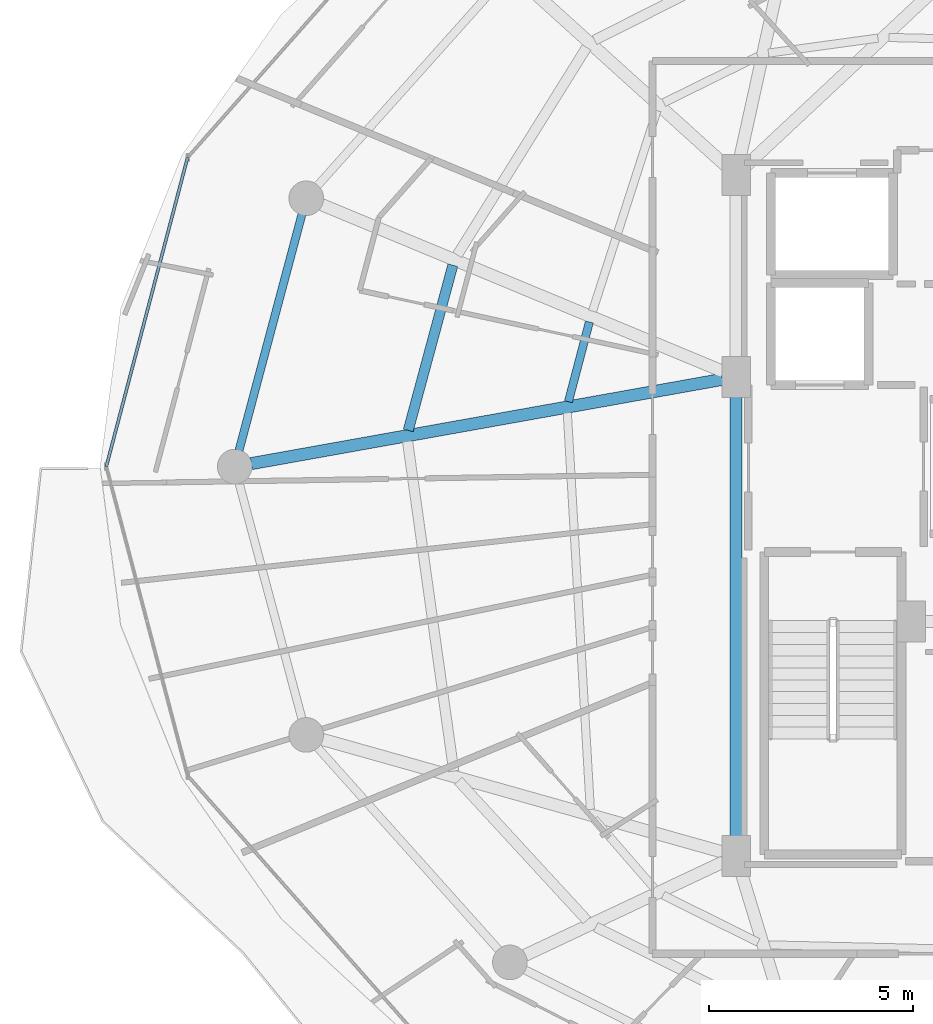
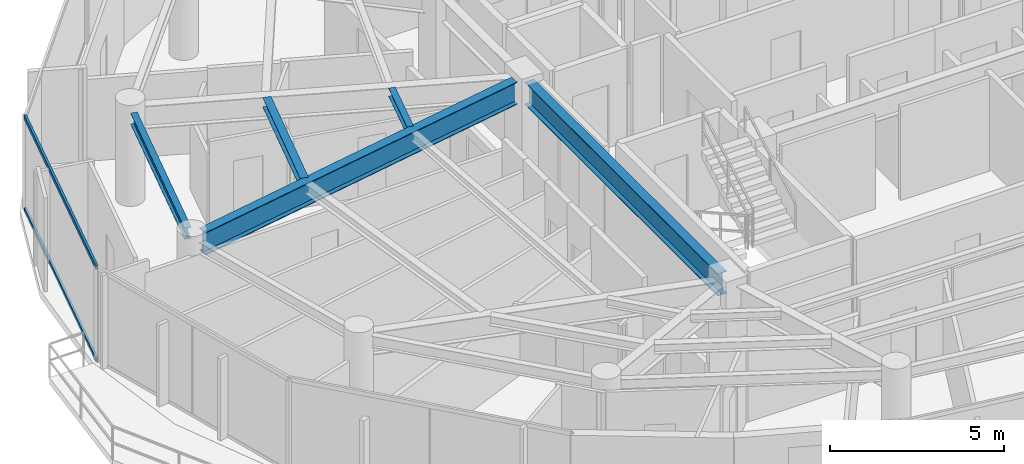
# One storey, part 8 of 32: 5 beams, 2 members, 1 element without a shape of its own.
"""IFC4 building model written with IfcOpenShell, lengths in metres."""

from ifc_helpers import new_model, si_unit, direction, frame, origin, origin_2d, place, context, subcontext, project, spatial, hollow_rectangle, i_section, extrude, material, material_profile, profile_set, type_object, element, aggregate, save


model = new_model("IFC4")

# Units and contexts
model_context = context("Model", 3, precision=1e-05, world=origin(), true_north=direction((0.0, 1.0)))
body_context = subcontext(model_context, "Body", "Model", "MODEL_VIEW")
ifc_project = project(units=[si_unit("LENGTHUNIT", "METRE"), si_unit("AREAUNIT", "SQUARE_METRE"), si_unit("VOLUMEUNIT", "CUBIC_METRE"), si_unit("PLANEANGLEUNIT", "RADIAN"), si_unit("MASSUNIT", "GRAM", prefix="KILO")], contexts=[model_context])

# Site, building, storey
site_placement = place(None, origin())
site = spatial("IfcSite", under=ifc_project, at=site_placement, CompositionType="ELEMENT")
building_placement = place(site_placement, origin())
building = spatial("IfcBuilding", under=site, at=building_placement, Name="Vorneva Point Tower", CompositionType="ELEMENT")
storey_placement = place(building_placement, frame((0.0, 0.0, 269.75)))
storey = spatial("IfcBuildingStorey", under=building, at=storey_placement, Name="L73", CompositionType="ELEMENT", Elevation=269.75)

# Beams
ifc_material_1 = material(Name="Steel S355", Category="steel")
ifc_material_profile_1 = material_profile(ifc_material_1, i_section(OverallWidth=0.300048828125, OverallDepth=0.7880859375, WebThickness=0.014404296875, FlangeThickness=0.02197265625, at=origin_2d()), Name="80Sh1")
ifc_profile_set_1 = profile_set([ifc_material_profile_1], Name="Steel S355")
beam_type_1 = type_object("IfcBeamType", Name="BM-GRD-80Sh1", PredefinedType="USERDEFINED", material=ifc_profile_set_1)
beam_1_placement = place(storey_placement, frame((15.3564453125, 26.07275390625, 2.89599609375), z_axis=(0.9843788355, 0.17606336422, 0.0), x_axis=(-0.17606336422, 0.9843788355, 0.0)))
element("IfcBeam", 1, at=beam_1_placement, inside=storey, type_object=beam_type_1, Name="L73 Radial Primary Girder 09", ObjectType="GIRDER", PredefinedType="USERDEFINED", context=body_context, shape_type="SweptSolid", body=[
    extrude(i_section(OverallWidth=0.300048828125, OverallDepth=0.7880859375, WebThickness=0.014404296875, FlangeThickness=0.02197265625, at=origin_2d()), origin(), (0.0, 0.0, 1.0), 11.7421875),
])
beam_2_placement = place(storey_placement, frame((27.25, 16.77001953125, 2.89599609375), z_axis=(0.0, 1.0, 0.0), x_axis=(-1.0, 0.0, 0.0)))
element("IfcBeam", 2, at=beam_2_placement, inside=storey, type_object=beam_type_1, Name="L73 Core Tie Girder CT1", ObjectType="GIRDER", PredefinedType="USERDEFINED", context=body_context, shape_type="SweptSolid", body=[
    extrude(i_section(OverallWidth=0.300048828125, OverallDepth=0.7880859375, WebThickness=0.014404296875, FlangeThickness=0.02197265625, at=origin_2d()), origin(), (0.0, 0.0, 1.0), 11.10986328125),
])
ifc_material_profile_2 = material_profile(ifc_material_1, i_section(OverallWidth=0.199951171875, OverallDepth=0.291015625, WebThickness=0.008056640625, FlangeThickness=0.010986328125, at=origin_2d()), Name="30Sh1")
ifc_profile_set_2 = profile_set([ifc_material_profile_2], Name="Steel S355")
beam_type_2 = type_object("IfcBeamType", Name="BM-SEC-30Sh1", PredefinedType="BEAM", material=ifc_profile_set_2)
beam_3_placement = place(storey_placement, frame((23.650390625, 29.5478515625, 3.14453125), z_axis=(-0.254273504395, -0.967132351316, 0.0), x_axis=(0.967132351316, -0.254273504395, 0.0)))
element("IfcBeam", 3, at=beam_3_placement, inside=storey, type_object=beam_type_2, Name="L73 Secondary Floor Beam 2.08", PredefinedType="BEAM", context=body_context, shape_type="SweptSolid", body=[
    extrude(i_section(OverallWidth=0.199951171875, OverallDepth=0.291015625, WebThickness=0.008056640625, FlangeThickness=0.010986328125, at=origin_2d()), origin(), (0.0, 0.0, 1.0), 2.02294921875),
])
ifc_material_profile_3 = material_profile(ifc_material_1, i_section(OverallWidth=0.2490234375, OverallDepth=0.333984375, WebThickness=0.008056640625, FlangeThickness=0.010986328125, at=origin_2d()), Name="35Sh1")
ifc_profile_set_3 = profile_set([ifc_material_profile_3], Name="Steel S355")
beam_type_3 = type_object("IfcBeamType", Name="BM-SEC-35Sh1", PredefinedType="BEAM", material=ifc_profile_set_3)
beam_4_placement = place(storey_placement, frame((20.300537109375, 30.939697265625, 3.123046875), z_axis=(-0.260630606793, -0.965438598153, 0.0), x_axis=(0.965438598153, -0.260630606793, 0.0)))
element("IfcBeam", 4, at=beam_4_placement, inside=storey, type_object=beam_type_3, Name="L73 Secondary Floor Beam 1.08", PredefinedType="BEAM", context=body_context, shape_type="SweptSolid", body=[
    extrude(i_section(OverallWidth=0.2490234375, OverallDepth=0.333984375, WebThickness=0.008056640625, FlangeThickness=0.010986328125, at=origin_2d()), origin(), (0.0, 0.0, 1.0), 4.196533203125),
])
ifc_material_profile_4 = material_profile(ifc_material_1, i_section(OverallWidth=0.198974609375, OverallDepth=0.39599609375, WebThickness=0.007080078125, FlangeThickness=0.010986328125, at=origin_2d()), Name="40B1")
ifc_profile_set_4 = profile_set([ifc_material_profile_4], Name="Steel S355")
beam_type_4 = type_object("IfcBeamType", Name="BM-SPN-40B1", PredefinedType="SPANDREL", material=ifc_profile_set_4)
beam_5_placement = place(storey_placement, frame((16.59912109375, 32.18603515625, 3.092041015625), z_axis=(-0.257586570866, -0.966255224312, 0.0), x_axis=(0.966255224312, -0.257586570866, 0.0)))
element("IfcBeam", 5, at=beam_5_placement, inside=storey, type_object=beam_type_4, Name="L73 Perimeter Spandrel Ring Beam 08", PredefinedType="SPANDREL", context=body_context, shape_type="SweptSolid", body=[
    extrude(i_section(OverallWidth=0.198974609375, OverallDepth=0.39599609375, WebThickness=0.007080078125, FlangeThickness=0.010986328125, at=origin_2d()), origin(), (0.0, 0.0, 1.0), 5.991943359375),
])

# Curtain wall, members
ifc_material_2 = material(Name="Pale anodised aluminium", Category="aluminium")
curtain_wall_type = type_object("IfcCurtainWallType", Name="CW-RES-SYS", PredefinedType="NOTDEFINED", material=ifc_material_2)
curtain_wall_placement = place(storey_placement, origin())
curtain_wall = element("IfcCurtainWall", 6, at=curtain_wall_placement, inside=storey, type_object=curtain_wall_type, Name="L73 Unitised Curtain Wall CW-L73-R03", PredefinedType="NOTDEFINED")
ifc_material_profile_5 = material_profile(ifc_material_2, hollow_rectangle(XDim=0.074951171875, YDim=0.14990234375, WallThickness=0.00390625, at=origin_2d()), Name="AL-TRN 150x75x4")
ifc_profile_set_5 = profile_set([ifc_material_profile_5], Name="Pale anodised aluminium")
member_type = type_object("IfcMemberType", Name="CW-TRN-150", PredefinedType="USERDEFINED", material=ifc_profile_set_5)
member_1_placement = place(storey_placement, frame((13.79443359375, 33.5810546875, 0.02001953125), z_axis=(-0.254418180926, -0.967094302131, 0.0), x_axis=(0.967094302131, -0.254418180926, 0.0)))
member_1 = element("IfcMember", 7, at=member_1_placement, type_object=member_type, Name="CW-L73-R03 Transom 02.1", ObjectType="TRANSOM", PredefinedType="USERDEFINED", context=body_context, shape_type="SweptSolid", body=[
    extrude(hollow_rectangle(XDim=0.074951171875, YDim=0.14990234375, WallThickness=0.00390625, at=origin_2d()), origin(), (0.0, 0.0, 1.0), 7.839111328125),
])
member_2_placement = place(storey_placement, frame((13.79443359375, 33.5810546875, 3.27001953125), z_axis=(-0.254418180926, -0.967094302131, 0.0), x_axis=(0.967094302131, -0.254418180926, 0.0)))
member_2 = element("IfcMember", 8, at=member_2_placement, type_object=member_type, Name="CW-L73-R03 Transom 02.2", ObjectType="TRANSOM", PredefinedType="USERDEFINED", context=body_context, shape_type="SweptSolid", body=[
    extrude(hollow_rectangle(XDim=0.074951171875, YDim=0.14990234375, WallThickness=0.00390625, at=origin_2d()), origin(), (0.0, 0.0, 1.0), 7.839111328125),
])
aggregate(curtain_wall, [member_1, member_2])

save(model, "model.ifc")
